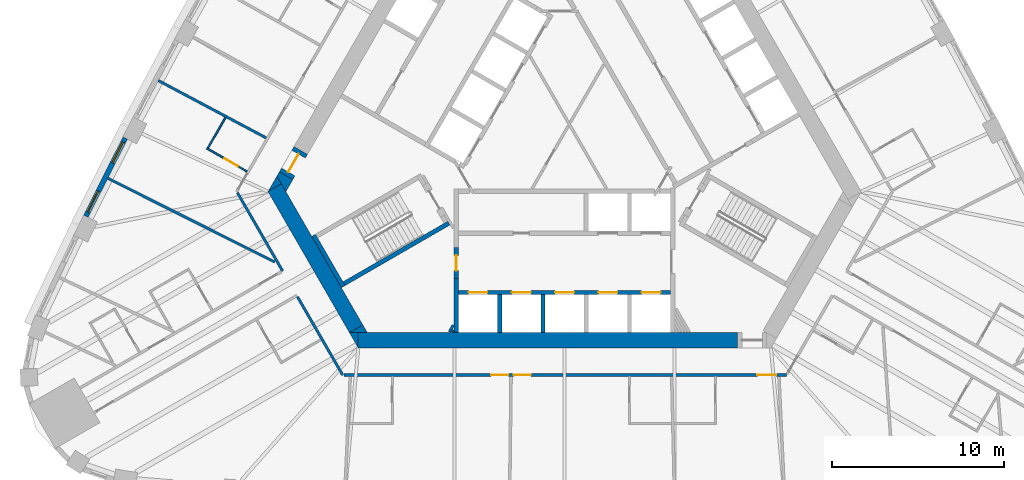
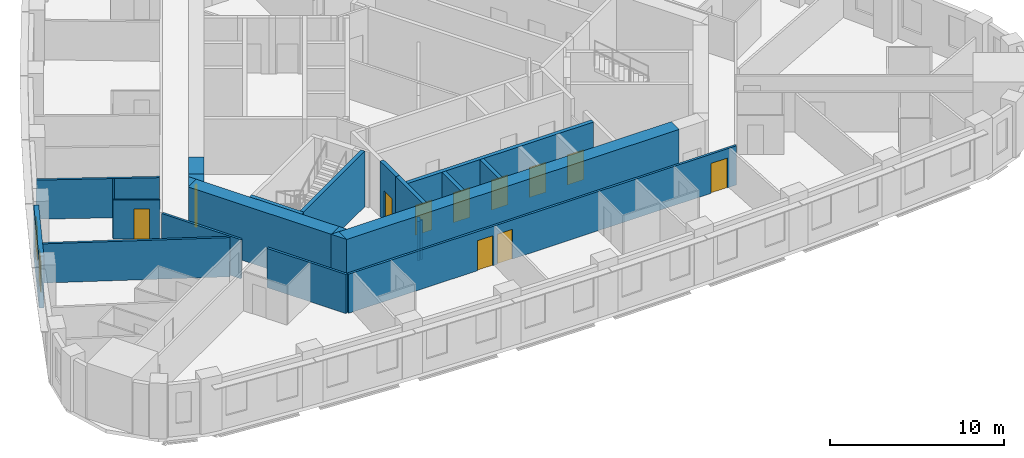
# One storey, part 4 of 12: 24 walls, 11 doors, 2 windows, 13 openings.
"""IFC4 building model written with IfcOpenShell, lengths in metres."""

from ifc_helpers import new_model, si_unit, direction, frame, frame_2d, origin, place, context, subcontext, project, spatial, polyline, rectangle, outline, extrude, material, layer, layer_set, type_object, element, fill, save


model = new_model("IFC4")

# Units and contexts
model_context = context("Model", 3, precision=1e-05, world=origin(), true_north=direction((0.0, 1.0)))
body_context = subcontext(model_context, "Body", "Model", "MODEL_VIEW")
ifc_project = project(units=[si_unit("LENGTHUNIT", "METRE"), si_unit("AREAUNIT", "SQUARE_METRE"), si_unit("VOLUMEUNIT", "CUBIC_METRE"), si_unit("PLANEANGLEUNIT", "RADIAN"), si_unit("MASSUNIT", "GRAM", prefix="KILO")], contexts=[model_context])

# Site, building, storey
site_placement = place(None, origin())
site = spatial("IfcSite", under=ifc_project, at=site_placement, CompositionType="ELEMENT")
building_placement = place(site_placement, origin())
building = spatial("IfcBuilding", under=site, at=building_placement, Name="Mestral Congress Tower", CompositionType="ELEMENT")
storey_placement = place(building_placement, frame((0.0, 0.0, 122.699951171875)))
storey = spatial("IfcBuildingStorey", under=building, at=storey_placement, Name="L29", CompositionType="ELEMENT", Elevation=122.699951171875)

# Walls
ifc_material_1 = material(Name="Fire-rated board partition")
ifc_layer_1 = layer(ifc_material_1, 0.14990234375)
ifc_layer_set_1 = layer_set([ifc_layer_1], Name="Fire-rated board partition")
wall_type_1 = type_object("IfcWallType", Name="Core partition 150", PredefinedType="PARTITIONING", material=ifc_layer_set_1)
wall_1_placement = place(storey_placement, frame((-6.707763671875, -12.068115234375, 0.0), z_axis=(0.0, 0.0, 1.0), x_axis=(0.500000789788, 0.8660249478, 0.0)))
element("IfcWall", 1, at=wall_1_placement, inside=storey, type_object=wall_type_1, Name="L29 core wall", PredefinedType="PARTITIONING", context=body_context, shape_type="SweptSolid", body=[
    extrude(rectangle(XDim=0.45556640625, YDim=0.14990234375, at=frame_2d((0.227783203125, 0.0))), origin(), (0.0, 0.0, 1.0), 2.75),
])
wall_2_placement = place(storey_placement, frame((-6.534423828125, -12.068115234375, 0.0), z_axis=(0.0, 0.0, 1.0), x_axis=(0.500240224089, 0.865886665912, 0.0)))
element("IfcWall", 2, at=wall_2_placement, inside=storey, type_object=wall_type_1, Name="L29 core wall", PredefinedType="PARTITIONING", context=body_context, shape_type="SweptSolid", body=[
    extrude(rectangle(XDim=0.10888671875, YDim=0.14990234375, at=frame_2d((0.054443359375, 0.0))), origin(), (0.0, 0.0, 1.0), 2.75),
])
ifc_material_2 = material(Name="Concrete C60/75", Category="concrete")
ifc_layer_2 = layer(ifc_material_2, 0.89990234375)
ifc_layer_set_2 = layer_set([ifc_layer_2], Name="Concrete C60/75")
wall_type_2 = type_object("IfcWallType", Name="Core wall RC 900", PredefinedType="SOLIDWALL", material=ifc_layer_set_2)
wall_3_placement = place(storey_placement, frame((-12.0185546875, -12.550048828125, 0.0), z_axis=(0.0, 0.0, 1.0), x_axis=(1.0, 0.0, 0.0)))
element("IfcWall", 3, at=wall_3_placement, inside=storey, type_object=wall_type_2, Name="L29 core wall", PredefinedType="SOLIDWALL", context=body_context, shape_type="SweptSolid", body=[
    extrude(rectangle(XDim=22.082763671875, YDim=0.89990234375, at=frame_2d((11.04150390625, 0.0))), origin(), (0.0, 0.0, 1.0), 3.900146484375),
])
placement = place(storey_placement, origin())
element("IfcWall", 4, at=placement, inside=storey, type_object=wall_type_2, Name="L29 core wall", PredefinedType="SOLIDWALL", context=body_context, shape_type="SweptSolid", body=[
    extrude(outline(polyline([(-12.528564453125, -12.10009765625), (-12.0205078125, -12.10009765625), (-12.0205078125, -12.97998046875), (-12.528564453125, -12.10009765625)])), origin(), (0.0, 0.0, 1.0), 3.900146484375),
])
wall_5_placement = place(storey_placement, frame((-12.134033203125, -11.88330078125, 0.0), z_axis=(0.0, 0.0, 1.0), x_axis=(-0.500005339912, 0.866022320763, 0.0)))
element("IfcWall", 5, at=wall_5_placement, inside=storey, type_object=wall_type_2, Name="L29 core wall", PredefinedType="SOLIDWALL", context=body_context, shape_type="SweptSolid", body=[
    extrude(rectangle(XDim=9.48779296875, YDim=0.89990234375, at=frame_2d((4.743896484375, 0.0))), origin(), (0.0, 0.0, 1.0), 3.900146484375),
])
element("IfcWall", 6, at=placement, inside=storey, type_object=wall_type_2, Name="L29 core wall", PredefinedType="SOLIDWALL", context=body_context, shape_type="SweptSolid", body=[
    extrude(outline(polyline([(-16.4892578125, -3.43994140625), (-17.251220703125, -3.8798828125), (-16.7431640625, -3.0), (-16.4892578125, -3.43994140625)])), origin(), (0.0, 0.0, 1.0), 3.900146484375),
])
element("IfcWall", 7, at=placement, inside=storey, type_object=wall_type_2, Name="L29 core wall", PredefinedType="SOLIDWALL", context=body_context, shape_type="SweptSolid", body=[
    extrude(outline(polyline([(-11.4892578125, -12.10009765625), (-12.50537109375, -12.10009765625), (-11.743408203125, -11.66015625), (-11.4892578125, -12.10009765625)])), origin(), (0.0, 0.0, 1.0), 3.900146484375),
])
element("IfcWall", 8, at=placement, inside=storey, type_object=wall_type_2, Name="L29 core wall", PredefinedType="SOLIDWALL", context=body_context, shape_type="SweptSolid", body=[
    extrude(outline(polyline([(-15.81982421875, -3.20068359375), (-16.223388671875, -3.89990234375), (-16.7431640625, -3.0), (-16.599365234375, -2.750732421875), (-15.81982421875, -3.20068359375)])), origin(), (0.0, 0.0, 1.0), 3.900146484375),
])

# Wall, opening, door
wall_9_placement = place(storey_placement, frame((-16.20947265625, -2.9755859375, 0.0), z_axis=(0.0, 0.0, 1.0), x_axis=(0.499954529098, 0.86605165483, 0.0)))
wall_9 = element("IfcWall", 9, at=wall_9_placement, inside=storey, type_object=wall_type_2, Name="L29 door wall", PredefinedType="SOLIDWALL", context=body_context, shape_type="SweptSolid", body=[
    extrude(rectangle(XDim=1.699951171875, YDim=0.89990234375, at=frame_2d((0.85009765625, 0.0))), origin(), (0.0, 0.0, 1.0), 3.900146484375),
])
opening_1_placement = place(wall_9_placement, frame((0.25, 0.0, 0.0)))
opening_1 = element("IfcOpeningElement", 10, at=opening_1_placement, cuts=wall_9, Name="Opening XD3", PredefinedType="OPENING", context=body_context, shape_type="SweptSolid", body=[
    extrude(rectangle(XDim=1.199951171875, YDim=2.10009765625, at=frame_2d((0.60009765625, 1.050048828125))), frame((0.0, 0.4599609375, 0.0), z_axis=(0.0, -1.0, 0.0), x_axis=(1.0, 0.0, 0.0)), (0.0, 0.0, 1.0), 0.919921875),
])
ifc_material_3 = material(Name="Fire-rated steel door set", Category="steel")
door_type_1 = type_object("IfcDoorType", Name="Core door XD 1200x2100", OperationType="SINGLE_SWING_LEFT", PredefinedType="DOOR", material=ifc_material_3)
door_1_placement = place(opening_1_placement, origin())
door_1 = element("IfcDoor", 11, at=door_1_placement, inside=storey, type_object=door_type_1, Name="Door XD3", OperationType="SINGLE_SWING_LEFT", OverallHeight=2.10009765625, OverallWidth=1.199951171875, PredefinedType="DOOR", context=body_context, shape_type="SweptSolid", body=[
    extrude(rectangle(XDim=1.199951171875, YDim=2.10009765625, at=frame_2d((0.60009765625, 1.050048828125))), frame((0.0, 0.02490234375, 0.0), z_axis=(0.0, -1.0, 0.0), x_axis=(1.0, 0.0, 0.0)), (0.0, 0.0, 1.0), 0.050048828125),
])
fill(opening_1, door_1)

# Wall, openings, windows
ifc_material_4 = material(Name="Precast concrete C40/50 with limestone facing", Category="masonry")
ifc_layer_3 = layer(ifc_material_4, 0.2900390625)
ifc_layer_set_3 = layer_set([ifc_layer_3], Name="Precast concrete C40/50 with limestone facing")
wall_type_3 = type_object("IfcWallType", Name="Facade stone wall 290", PredefinedType="SOLIDWALL", material=ifc_layer_set_3)
wall_10_placement = place(storey_placement, frame((-25.576416015625, -0.77783203125, 0.0), z_axis=(0.0, 0.0, 1.0), x_axis=(-0.448534297211, -0.893765620409, 0.0)))
wall_10 = element("IfcWall", 12, at=wall_10_placement, inside=storey, type_object=wall_type_3, Name="Facade wall F2-06", PredefinedType="SOLIDWALL", context=body_context, shape_type="SweptSolid", body=[
    extrude(rectangle(XDim=5.10009765625, YDim=0.2900390625, at=frame_2d((2.550048828125, 0.0))), origin(), (0.0, 0.0, 1.0), 3.650146484375),
])
opening_2_placement = place(wall_10_placement, frame((0.2724609375, 0.0, 0.89990234375)))
opening_2 = element("IfcOpeningElement", 13, at=opening_2_placement, cuts=wall_10, Name="Opening W2", PredefinedType="OPENING", context=body_context, shape_type="SweptSolid", body=[
    extrude(rectangle(XDim=1.35009765625, YDim=2.14990234375, at=frame_2d((0.675048828125, 1.074951171875))), frame((0.0, 0.155029296875, 0.0), z_axis=(0.0, -1.0, 0.0), x_axis=(1.0, 0.0, 0.0)), (0.0, 0.0, 1.0), 0.31005859375),
])
opening_3_placement = place(wall_10_placement, frame((3.477783203125, 0.0, 0.89990234375)))
opening_3 = element("IfcOpeningElement", 14, at=opening_3_placement, cuts=wall_10, Name="Opening W2", PredefinedType="OPENING", context=body_context, shape_type="SweptSolid", body=[
    extrude(rectangle(XDim=1.35009765625, YDim=2.14990234375, at=frame_2d((0.675048828125, 1.074951171875))), frame((0.0, 0.155029296875, 0.0), z_axis=(0.0, -1.0, 0.0), x_axis=(1.0, 0.0, 0.0)), (0.0, 0.0, 1.0), 0.31005859375),
])
ifc_material_5 = material(Name="Clear low-emissivity double glazing", Category="glass")
window_type = type_object("IfcWindowType", Name="Facade punched window 1350 x 2150 sill 900", PartitioningType="DOUBLE_PANEL_VERTICAL", PredefinedType="WINDOW", material=ifc_material_5)
window_1_placement = place(opening_2_placement, origin())
window_1 = element("IfcWindow", 15, at=window_1_placement, inside=storey, type_object=window_type, Name="Window F2-06a", OverallHeight=2.14990234375, OverallWidth=1.35009765625, PartitioningType="DOUBLE_PANEL_VERTICAL", PredefinedType="WINDOW", context=body_context, shape_type="SweptSolid", body=[
    extrude(rectangle(XDim=1.35009765625, YDim=2.14990234375, at=frame_2d((0.675048828125, 1.074951171875))), frame((0.0, 0.01513671875, 0.0), z_axis=(0.0, -1.0, 0.0), x_axis=(1.0, 0.0, 0.0)), (0.0, 0.0, 1.0), 0.06005859375),
])
fill(opening_2, window_1)
window_2_placement = place(opening_3_placement, origin())
window_2 = element("IfcWindow", 16, at=window_2_placement, inside=storey, type_object=window_type, Name="Window F2-06b", OverallHeight=2.14990234375, OverallWidth=1.35009765625, PartitioningType="DOUBLE_PANEL_VERTICAL", PredefinedType="WINDOW", context=body_context, shape_type="SweptSolid", body=[
    extrude(rectangle(XDim=1.35009765625, YDim=2.14990234375, at=frame_2d((0.675048828125, 1.074951171875))), frame((0.0, 0.01513671875, 0.0), z_axis=(0.0, -1.0, 0.0), x_axis=(1.0, 0.0, 0.0)), (0.0, 0.0, 1.0), 0.06005859375),
])
fill(opening_3, window_2)

# Wall, opening, door
ifc_material_6 = material(Name="Gypsum board partition on metal studs with mineral wool", Category="composite")
ifc_layer_4 = layer(ifc_material_6, 0.10009765625)
ifc_layer_set_4 = layer_set([ifc_layer_4], Name="Gypsum board partition on metal studs with mineral wool")
wall_type_4 = type_object("IfcWallType", Name="Hotel partition wall 100", PredefinedType="PARTITIONING", material=ifc_layer_set_4)
wall_11_placement = place(storey_placement, frame((-20.8291015625, -1.377197265625, 0.0), z_axis=(0.0, 0.0, 1.0), x_axis=(0.866036505625, -0.499980770555, 0.0)))
wall_11 = element("IfcWall", 17, at=wall_11_placement, inside=storey, type_object=wall_type_4, Name="L29-h-pod18a", PredefinedType="PARTITIONING", context=body_context, shape_type="SweptSolid", body=[
    extrude(rectangle(XDim=2.69970703125, YDim=0.10009765625, at=frame_2d((1.349853515625, 0.0))), origin(), (0.0, 0.0, 1.0), 2.75),
])
opening_4_placement = place(wall_11_placement, frame((1.199951171875, 0.0, 0.0)))
opening_4 = element("IfcOpeningElement", 18, at=opening_4_placement, cuts=wall_11, Name="Opening H09-034", PredefinedType="OPENING", context=body_context, shape_type="SweptSolid", body=[
    extrude(rectangle(XDim=0.89990234375, YDim=2.10009765625, at=frame_2d((0.449951171875, 1.050048828125))), frame((0.0, 0.06005859375, 0.0), z_axis=(0.0, -1.0, 0.0), x_axis=(1.0, 0.0, 0.0)), (0.0, 0.0, 1.0), 0.1201171875),
])
ifc_material_7 = material(Name="Timber veneer door leaf in timber frame", Category="wood")
door_type_2 = type_object("IfcDoorType", Name="Bathroom door 900", OperationType="SINGLE_SWING_LEFT", PredefinedType="DOOR", material=ifc_material_7)
door_2_placement = place(opening_4_placement, origin())
door_2 = element("IfcDoor", 19, at=door_2_placement, inside=storey, type_object=door_type_2, Name="L29-h-d034", OperationType="SINGLE_SWING_RIGHT", OverallHeight=2.10009765625, OverallWidth=0.89990234375, PredefinedType="DOOR", context=body_context, shape_type="SweptSolid", body=[
    extrude(rectangle(XDim=0.89990234375, YDim=2.10009765625, at=frame_2d((0.449951171875, 1.050048828125))), frame((0.0, 0.02490234375, 0.0), z_axis=(0.0, -1.0, 0.0), x_axis=(1.0, 0.0, 0.0)), (0.0, 0.0, 1.0), 0.050048828125),
])
fill(opening_4, door_2)

# Walls
wall_12_placement = place(storey_placement, frame((-20.7607421875, -1.35888671875, 0.0), z_axis=(0.0, 0.0, 1.0), x_axis=(0.499954962928, 0.866051404389, 0.0)))
element("IfcWall", 20, at=wall_12_placement, inside=storey, type_object=wall_type_4, Name="L29-h-pod18b", PredefinedType="PARTITIONING", context=body_context, shape_type="SweptSolid", body=[
    extrude(rectangle(XDim=2.030029296875, YDim=0.10009765625, at=frame_2d((1.01513671875, 0.0))), origin(), (0.0, 0.0, 1.0), 2.75),
])
ifc_layer_5 = layer(ifc_material_6, 0.14990234375)
ifc_layer_set_5 = layer_set([ifc_layer_5], Name="Gypsum board partition on metal studs with mineral wool")
wall_type_5 = type_object("IfcWallType", Name="Hotel partition wall 150", PredefinedType="PARTITIONING", material=ifc_layer_set_5)
wall_13_placement = place(storey_placement, frame((-16.412353515625, -8.52294921875, 0.0), z_axis=(0.0, 0.0, 1.0), x_axis=(-0.500001929737, 0.866024289647, 0.0)))
element("IfcWall", 21, at=wall_13_placement, inside=storey, type_object=wall_type_5, Name="L29-h-cw09", PredefinedType="PARTITIONING", context=body_context, shape_type="SweptSolid", body=[
    extrude(rectangle(XDim=5.26806640625, YDim=0.14990234375, at=frame_2d((2.634033203125, 0.0))), origin(), (0.0, 0.0, 1.0), 2.75),
])
wall_14_placement = place(storey_placement, frame((-12.918212890625, -14.574951171875, 0.0), z_axis=(0.0, 0.0, 1.0), x_axis=(-0.500009150678, 0.866020120573, 0.0)))
element("IfcWall", 22, at=wall_14_placement, inside=storey, type_object=wall_type_5, Name="L29-h-cw12", PredefinedType="PARTITIONING", context=body_context, shape_type="SweptSolid", body=[
    extrude(rectangle(XDim=5.25830078125, YDim=0.14990234375, at=frame_2d((2.629150390625, 0.0))), origin(), (0.0, 0.0, 1.0), 2.75),
])

# Wall, openings, doors
wall_15_placement = place(storey_placement, frame((12.918212890625, -14.574951171875, 0.0), z_axis=(0.0, 0.0, 1.0), x_axis=(-1.0, 0.0, 0.0)))
wall_15 = element("IfcWall", 23, at=wall_15_placement, inside=storey, type_object=wall_type_5, Name="L29-h-cw13", PredefinedType="PARTITIONING", context=body_context, shape_type="SweptSolid", body=[
    extrude(rectangle(XDim=25.766357421875, YDim=0.14990234375, at=frame_2d((12.88330078125, 0.0))), origin(), (0.0, 0.0, 1.0), 2.75),
])
opening_5_placement = place(wall_15_placement, frame((16.18896484375, 0.0, 0.0)))
opening_5 = element("IfcOpeningElement", 24, at=opening_5_placement, cuts=wall_15, Name="Opening H09-003", PredefinedType="OPENING", context=body_context, shape_type="SweptSolid", body=[
    extrude(rectangle(XDim=1.0, YDim=2.10009765625, at=frame_2d((0.5, 1.050048828125))), frame((0.0, 0.0849609375, 0.0), z_axis=(0.0, -1.0, 0.0), x_axis=(1.0, 0.0, 0.0)), (0.0, 0.0, 1.0), 0.169921875),
])
opening_6_placement = place(wall_15_placement, frame((14.881591796875, 0.0, 0.0)))
opening_6 = element("IfcOpeningElement", 25, at=opening_6_placement, cuts=wall_15, Name="Opening H09-005", PredefinedType="OPENING", context=body_context, shape_type="SweptSolid", body=[
    extrude(rectangle(XDim=1.0, YDim=2.10009765625, at=frame_2d((0.5, 1.050048828125))), frame((0.0, 0.0849609375, 0.0), z_axis=(0.0, -1.0, 0.0), x_axis=(1.0, 0.0, 0.0)), (0.0, 0.0, 1.0), 0.169921875),
])
opening_7_placement = place(wall_15_placement, frame((0.595947265625, 0.0, 0.0)))
opening_7 = element("IfcOpeningElement", 26, at=opening_7_placement, cuts=wall_15, Name="Opening H09-007", PredefinedType="OPENING", context=body_context, shape_type="SweptSolid", body=[
    extrude(rectangle(XDim=1.10009765625, YDim=2.10009765625, at=frame_2d((0.550048828125, 1.050048828125))), frame((0.0, 0.0849609375, 0.0), z_axis=(0.0, -1.0, 0.0), x_axis=(1.0, 0.0, 0.0)), (0.0, 0.0, 1.0), 0.169921875),
])
ifc_material_8 = material(Name="Timber veneer door leaf in metal frame", Category="wood")
door_type_3 = type_object("IfcDoorType", Name="Accessible room entrance door 1100", OperationType="SINGLE_SWING_LEFT", PredefinedType="DOOR", material=ifc_material_8)
door_3_placement = place(opening_7_placement, origin())
door_3 = element("IfcDoor", 27, at=door_3_placement, inside=storey, type_object=door_type_3, Name="L29-h-d007", OperationType="SINGLE_SWING_LEFT", OverallHeight=2.10009765625, OverallWidth=1.10009765625, PredefinedType="DOOR", context=body_context, shape_type="SweptSolid", body=[
    extrude(rectangle(XDim=1.10009765625, YDim=2.10009765625, at=frame_2d((0.550048828125, 1.050048828125))), frame((0.0, 0.02490234375, 0.0), z_axis=(0.0, -1.0, 0.0), x_axis=(1.0, 0.0, 0.0)), (0.0, 0.0, 1.0), 0.050048828125),
])
fill(opening_7, door_3)
door_type_4 = type_object("IfcDoorType", Name="Guest room entrance door 1000", OperationType="SINGLE_SWING_LEFT", PredefinedType="DOOR", material=ifc_material_8)
door_4_placement = place(opening_5_placement, origin())
door_4 = element("IfcDoor", 28, at=door_4_placement, inside=storey, type_object=door_type_4, Name="L29-h-d003", OperationType="SINGLE_SWING_LEFT", OverallHeight=2.10009765625, OverallWidth=1.0, PredefinedType="DOOR", context=body_context, shape_type="SweptSolid", body=[
    extrude(rectangle(XDim=1.0, YDim=2.10009765625, at=frame_2d((0.5, 1.050048828125))), frame((0.0, 0.02490234375, 0.0), z_axis=(0.0, -1.0, 0.0), x_axis=(1.0, 0.0, 0.0)), (0.0, 0.0, 1.0), 0.050048828125),
])
fill(opening_5, door_4)
door_5_placement = place(opening_6_placement, origin())
door_5 = element("IfcDoor", 29, at=door_5_placement, inside=storey, type_object=door_type_4, Name="L29-h-d005", OperationType="SINGLE_SWING_RIGHT", OverallHeight=2.10009765625, OverallWidth=1.0, PredefinedType="DOOR", context=body_context, shape_type="SweptSolid", body=[
    extrude(rectangle(XDim=1.0, YDim=2.10009765625, at=frame_2d((0.5, 1.050048828125))), frame((0.0, 0.02490234375, 0.0), z_axis=(0.0, -1.0, 0.0), x_axis=(1.0, 0.0, 0.0)), (0.0, 0.0, 1.0), 0.050048828125),
])
fill(opening_6, door_5)

# Walls
wall_16_placement = place(storey_placement, frame((-23.65185546875, 2.56689453125, 0.0), z_axis=(0.0, 0.0, 1.0), x_axis=(0.883019237957, -0.469336793144, 0.0)))
element("IfcWall", 30, at=wall_16_placement, inside=storey, type_object=wall_type_5, Name="L29-h-pw03", PredefinedType="PARTITIONING", context=body_context, shape_type="SweptSolid", body=[
    extrude(rectangle(XDim=7.11083984375, YDim=0.14990234375, at=frame_2d((3.555419921875, 0.0))), origin(), (0.0, 0.0, 1.0), 2.75),
])
wall_17_placement = place(storey_placement, frame((-26.590576171875, -3.1220703125, 0.0), z_axis=(0.0, 0.0, 1.0), x_axis=(0.893766213273, -0.448533115847, 0.0)))
element("IfcWall", 31, at=wall_17_placement, inside=storey, type_object=wall_type_5, Name="L29-h-pw04", PredefinedType="PARTITIONING", context=body_context, shape_type="SweptSolid", body=[
    extrude(rectangle(XDim=10.875244140625, YDim=0.14990234375, at=frame_2d((5.4375, 0.0))), origin(), (0.0, 0.0, 1.0), 2.75),
])
ifc_layer_6 = layer(ifc_material_2, 0.25)
ifc_layer_set_6 = layer_set([ifc_layer_6], Name="Concrete C60/75")
wall_type_6 = type_object("IfcWallType", Name="Shaft wall RC 250", PredefinedType="SOLIDWALL", material=ifc_layer_set_6)
wall_18_placement = place(storey_placement, frame((-3.780029296875, -12.10009765625, 0.0), z_axis=(0.0, 0.0, 1.0), x_axis=(0.0, 1.0, 0.0)))
element("IfcWall", 32, at=wall_18_placement, inside=storey, type_object=wall_type_6, Name="L29 core wall", PredefinedType="SOLIDWALL", context=body_context, shape_type="SweptSolid", body=[
    extrude(rectangle(XDim=2.199951171875, YDim=0.25, at=frame_2d((1.10009765625, 0.0))), origin(), (0.0, 0.0, 1.0), 3.900146484375),
])
wall_19_placement = place(storey_placement, frame((-6.300048828125, -12.10009765625, 0.0), z_axis=(0.0, 0.0, 1.0), x_axis=(0.0, 1.0, 0.0)))
element("IfcWall", 33, at=wall_19_placement, inside=storey, type_object=wall_type_6, Name="L29 core wall", PredefinedType="SOLIDWALL", context=body_context, shape_type="SweptSolid", body=[
    extrude(rectangle(XDim=3.1455078125, YDim=0.25, at=frame_2d((1.57275390625, 0.0))), origin(), (0.0, 0.0, 1.0), 3.900146484375),
])
wall_20_placement = place(storey_placement, frame((-1.260009765625, -12.10009765625, 0.0), z_axis=(0.0, 0.0, 1.0), x_axis=(0.0, 1.0, 0.0)))
element("IfcWall", 34, at=wall_20_placement, inside=storey, type_object=wall_type_6, Name="L29 core wall", PredefinedType="SOLIDWALL", context=body_context, shape_type="SweptSolid", body=[
    extrude(rectangle(XDim=2.199951171875, YDim=0.25, at=frame_2d((1.10009765625, 0.0))), origin(), (0.0, 0.0, 1.0), 3.900146484375),
])

# Wall, openings, doors
wall_21_placement = place(storey_placement, frame((-6.175048828125, -9.77490234375, 0.0), z_axis=(0.0, 0.0, 1.0), x_axis=(1.0, 0.0, 0.0)))
wall_21 = element("IfcWall", 35, at=wall_21_placement, inside=storey, type_object=wall_type_6, Name="L29 door wall", PredefinedType="SOLIDWALL", context=body_context, shape_type="SweptSolid", body=[
    extrude(rectangle(XDim=12.35009765625, YDim=0.25, at=frame_2d((6.175048828125, 0.0))), origin(), (0.0, 0.0, 1.0), 3.900146484375),
])
opening_8_placement = place(wall_21_placement, frame((0.5849609375, 0.0, 0.0)))
opening_8 = element("IfcOpeningElement", 36, at=opening_8_placement, cuts=wall_21, Name="Opening LD-SOA1", PredefinedType="OPENING", context=body_context, shape_type="SweptSolid", body=[
    extrude(rectangle(XDim=1.10009765625, YDim=2.10009765625, at=frame_2d((0.550048828125, 1.050048828125))), frame((0.0, 0.135009765625, 0.0), z_axis=(0.0, -1.0, 0.0), x_axis=(1.0, 0.0, 0.0)), (0.0, 0.0, 1.0), 0.27001953125),
])
opening_9_placement = place(wall_21_placement, frame((3.10498046875, 0.0, 0.0)))
opening_9 = element("IfcOpeningElement", 37, at=opening_9_placement, cuts=wall_21, Name="Opening LD-SOA2", PredefinedType="OPENING", context=body_context, shape_type="SweptSolid", body=[
    extrude(rectangle(XDim=1.10009765625, YDim=2.10009765625, at=frame_2d((0.550048828125, 1.050048828125))), frame((0.0, 0.135009765625, 0.0), z_axis=(0.0, -1.0, 0.0), x_axis=(1.0, 0.0, 0.0)), (0.0, 0.0, 1.0), 0.27001953125),
])
opening_10_placement = place(wall_21_placement, frame((5.625, 0.0, 0.0)))
opening_10 = element("IfcOpeningElement", 38, at=opening_10_placement, cuts=wall_21, Name="Opening LD-SOA3", PredefinedType="OPENING", context=body_context, shape_type="SweptSolid", body=[
    extrude(rectangle(XDim=1.10009765625, YDim=2.10009765625, at=frame_2d((0.550048828125, 1.050048828125))), frame((0.0, 0.135009765625, 0.0), z_axis=(0.0, -1.0, 0.0), x_axis=(1.0, 0.0, 0.0)), (0.0, 0.0, 1.0), 0.27001953125),
])
opening_11_placement = place(wall_21_placement, frame((8.14501953125, 0.0, 0.0)))
opening_11 = element("IfcOpeningElement", 39, at=opening_11_placement, cuts=wall_21, Name="Opening LD-SOA4", PredefinedType="OPENING", context=body_context, shape_type="SweptSolid", body=[
    extrude(rectangle(XDim=1.10009765625, YDim=2.10009765625, at=frame_2d((0.550048828125, 1.050048828125))), frame((0.0, 0.135009765625, 0.0), z_axis=(0.0, -1.0, 0.0), x_axis=(1.0, 0.0, 0.0)), (0.0, 0.0, 1.0), 0.27001953125),
])
opening_12_placement = place(wall_21_placement, frame((10.6650390625, 0.0, 0.0)))
opening_12 = element("IfcOpeningElement", 40, at=opening_12_placement, cuts=wall_21, Name="Opening LD-SOA5", PredefinedType="OPENING", context=body_context, shape_type="SweptSolid", body=[
    extrude(rectangle(XDim=1.10009765625, YDim=2.10009765625, at=frame_2d((0.550048828125, 1.050048828125))), frame((0.0, 0.135009765625, 0.0), z_axis=(0.0, -1.0, 0.0), x_axis=(1.0, 0.0, 0.0)), (0.0, 0.0, 1.0), 0.27001953125),
])
door_type_5 = type_object("IfcDoorType", Name="Core door LD 1100x2100", OperationType="DOUBLE_DOOR_SLIDING", PredefinedType="DOOR", material=ifc_material_3)
door_6_placement = place(opening_8_placement, origin())
door_6 = element("IfcDoor", 41, at=door_6_placement, inside=storey, type_object=door_type_5, Name="Door LD-SOA1", OperationType="DOUBLE_DOOR_SLIDING", OverallHeight=2.10009765625, OverallWidth=1.10009765625, PredefinedType="DOOR", context=body_context, shape_type="SweptSolid", body=[
    extrude(rectangle(XDim=1.10009765625, YDim=2.10009765625, at=frame_2d((0.550048828125, 1.050048828125))), frame((0.0, 0.02490234375, 0.0), z_axis=(0.0, -1.0, 0.0), x_axis=(1.0, 0.0, 0.0)), (0.0, 0.0, 1.0), 0.050048828125),
])
fill(opening_8, door_6)
door_7_placement = place(opening_9_placement, origin())
door_7 = element("IfcDoor", 42, at=door_7_placement, inside=storey, type_object=door_type_5, Name="Door LD-SOA2", OperationType="DOUBLE_DOOR_SLIDING", OverallHeight=2.10009765625, OverallWidth=1.10009765625, PredefinedType="DOOR", context=body_context, shape_type="SweptSolid", body=[
    extrude(rectangle(XDim=1.10009765625, YDim=2.10009765625, at=frame_2d((0.550048828125, 1.050048828125))), frame((0.0, 0.02490234375, 0.0), z_axis=(0.0, -1.0, 0.0), x_axis=(1.0, 0.0, 0.0)), (0.0, 0.0, 1.0), 0.050048828125),
])
fill(opening_9, door_7)
door_8_placement = place(opening_10_placement, origin())
door_8 = element("IfcDoor", 43, at=door_8_placement, inside=storey, type_object=door_type_5, Name="Door LD-SOA3", OperationType="DOUBLE_DOOR_SLIDING", OverallHeight=2.10009765625, OverallWidth=1.10009765625, PredefinedType="DOOR", context=body_context, shape_type="SweptSolid", body=[
    extrude(rectangle(XDim=1.10009765625, YDim=2.10009765625, at=frame_2d((0.550048828125, 1.050048828125))), frame((0.0, 0.02490234375, 0.0), z_axis=(0.0, -1.0, 0.0), x_axis=(1.0, 0.0, 0.0)), (0.0, 0.0, 1.0), 0.050048828125),
])
fill(opening_10, door_8)
door_9_placement = place(opening_11_placement, origin())
door_9 = element("IfcDoor", 44, at=door_9_placement, inside=storey, type_object=door_type_5, Name="Door LD-SOA4", OperationType="DOUBLE_DOOR_SLIDING", OverallHeight=2.10009765625, OverallWidth=1.10009765625, PredefinedType="DOOR", context=body_context, shape_type="SweptSolid", body=[
    extrude(rectangle(XDim=1.10009765625, YDim=2.10009765625, at=frame_2d((0.550048828125, 1.050048828125))), frame((0.0, 0.02490234375, 0.0), z_axis=(0.0, -1.0, 0.0), x_axis=(1.0, 0.0, 0.0)), (0.0, 0.0, 1.0), 0.050048828125),
])
fill(opening_11, door_9)
door_10_placement = place(opening_12_placement, origin())
door_10 = element("IfcDoor", 45, at=door_10_placement, inside=storey, type_object=door_type_5, Name="Door LD-SOA5", OperationType="DOUBLE_DOOR_SLIDING", OverallHeight=2.10009765625, OverallWidth=1.10009765625, PredefinedType="DOOR", context=body_context, shape_type="SweptSolid", body=[
    extrude(rectangle(XDim=1.10009765625, YDim=2.10009765625, at=frame_2d((0.550048828125, 1.050048828125))), frame((0.0, 0.02490234375, 0.0), z_axis=(0.0, -1.0, 0.0), x_axis=(1.0, 0.0, 0.0)), (0.0, 0.0, 1.0), 0.050048828125),
])
fill(opening_12, door_10)

# Wall, opening, door
wall_22_placement = place(storey_placement, frame((-6.300048828125, -7.154296875, 0.0), z_axis=(0.0, 0.0, 1.0), x_axis=(0.0, -1.0, 0.0)))
wall_22 = element("IfcWall", 46, at=wall_22_placement, inside=storey, type_object=wall_type_6, Name="L29 door wall", PredefinedType="SOLIDWALL", context=body_context, shape_type="SweptSolid", body=[
    extrude(rectangle(XDim=1.800048828125, YDim=0.25, at=frame_2d((0.89990234375, 0.0))), origin(), (0.0, 0.0, 1.0), 3.900146484375),
])
opening_13_placement = place(wall_22_placement, frame((0.449951171875, 0.0, 0.0)))
opening_13 = element("IfcOpeningElement", 47, at=opening_13_placement, cuts=wall_22, Name="Opening TD3", PredefinedType="OPENING", context=body_context, shape_type="SweptSolid", body=[
    extrude(rectangle(XDim=0.89990234375, YDim=2.10009765625, at=frame_2d((0.449951171875, 1.050048828125))), frame((0.0, 0.135009765625, 0.0), z_axis=(0.0, -1.0, 0.0), x_axis=(1.0, 0.0, 0.0)), (0.0, 0.0, 1.0), 0.27001953125),
])
door_type_6 = type_object("IfcDoorType", Name="Core door SR 900x2100", OperationType="SINGLE_SWING_LEFT", PredefinedType="DOOR", material=ifc_material_3)
door_11_placement = place(opening_13_placement, origin())
door_11 = element("IfcDoor", 48, at=door_11_placement, inside=storey, type_object=door_type_6, Name="Door TD3", OperationType="SINGLE_SWING_LEFT", OverallHeight=2.10009765625, OverallWidth=0.89990234375, PredefinedType="DOOR", context=body_context, shape_type="SweptSolid", body=[
    extrude(rectangle(XDim=0.89990234375, YDim=2.10009765625, at=frame_2d((0.449951171875, 1.050048828125))), frame((0.0, 0.02490234375, 0.0), z_axis=(0.0, -1.0, 0.0), x_axis=(1.0, 0.0, 0.0)), (0.0, 0.0, 1.0), 0.050048828125),
])
fill(opening_13, door_11)

# Walls
ifc_layer_7 = layer(ifc_material_2, 0.25)
ifc_layer_set_7 = layer_set([ifc_layer_7], Name="Concrete C60/75")
wall_type_7 = type_object("IfcWallType", Name="Stair wall RC 250", PredefinedType="SOLIDWALL", material=ifc_layer_set_7)
wall_23_placement = place(storey_placement, frame((-12.885498046875, -9.431396484375, 0.0), z_axis=(0.0, 0.0, 1.0), x_axis=(-0.500020560727, 0.866013532718, 0.0)))
element("IfcWall", 49, at=wall_23_placement, inside=storey, type_object=wall_type_7, Name="L29 core wall", PredefinedType="SOLIDWALL", context=body_context, shape_type="SweptSolid", body=[
    extrude(rectangle(XDim=3.449951171875, YDim=0.25, at=frame_2d((1.72509765625, 0.0))), origin(), (0.0, 0.0, 1.0), 3.900146484375),
])
wall_24_placement = place(storey_placement, frame((-12.83984375, -9.2607421875, 0.0), z_axis=(0.0, 0.0, 1.0), x_axis=(0.866016039709, 0.500016218704, 0.0)))
element("IfcWall", 50, at=wall_24_placement, inside=storey, type_object=wall_type_7, Name="L29 core wall", PredefinedType="SOLIDWALL", context=body_context, shape_type="SweptSolid", body=[
    extrude(rectangle(XDim=7.050048828125, YDim=0.25, at=frame_2d((3.52490234375, 0.0))), origin(), (0.0, 0.0, 1.0), 3.900146484375),
])

save(model, "model.ifc")
